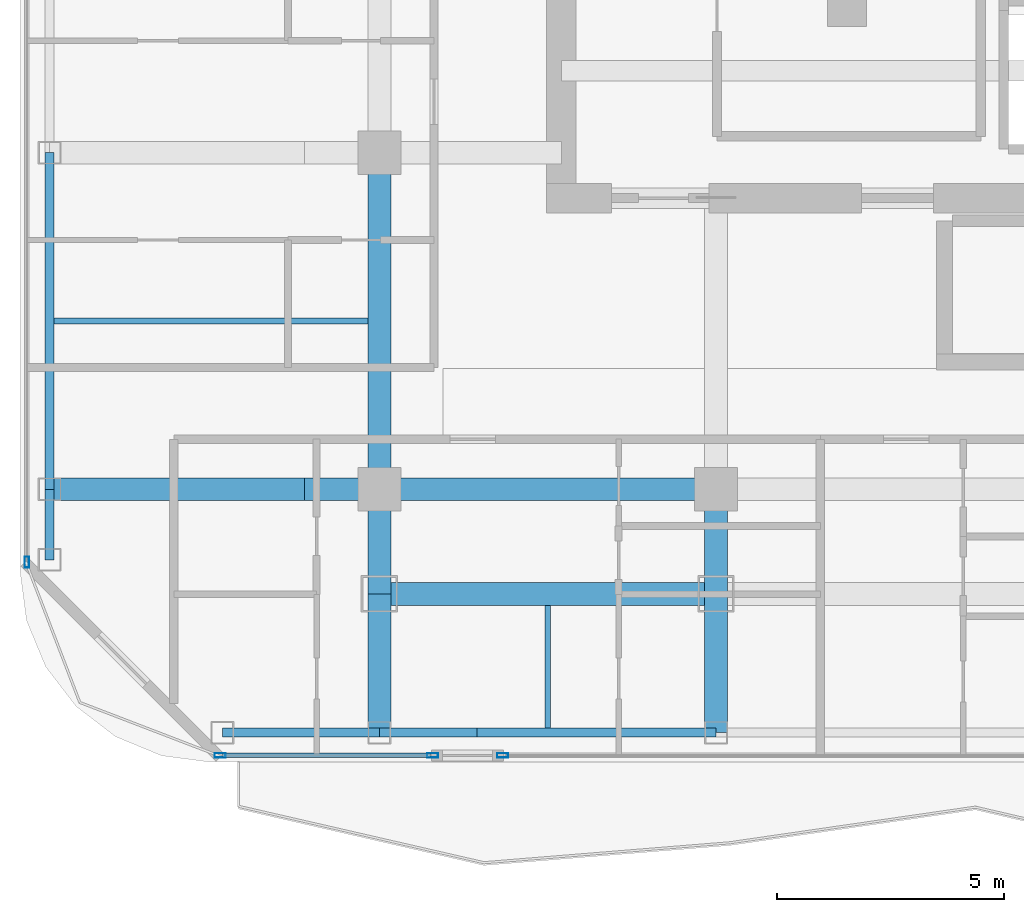
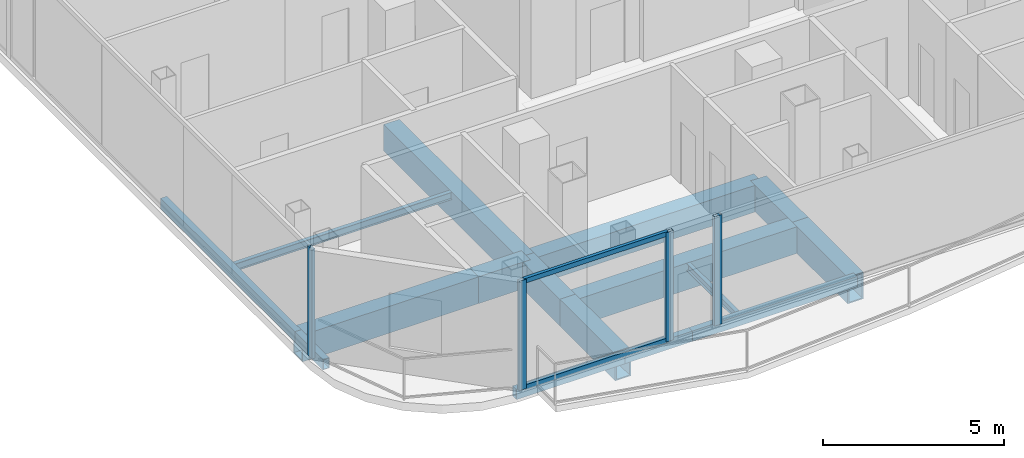
# One storey, part 2 of 24: 16 beams, 6 members, 3 elements without a shape of their own.
"""IFC4 building model written with IfcOpenShell, lengths in metres."""

from ifc_helpers import new_model, si_unit, direction, frame, origin, origin_2d, place, context, subcontext, project, spatial, hollow_rectangle, i_section, extrude, material, layer, layer_set, material_profile, profile_set, type_object, element, aggregate, save


model = new_model("IFC4")

# Units and contexts
model_context = context("Model", 3, precision=1e-05, world=origin(), true_north=direction((0.0, 1.0)))
body_context = subcontext(model_context, "Body", "Model", "MODEL_VIEW")
ifc_project = project(units=[si_unit("LENGTHUNIT", "METRE"), si_unit("AREAUNIT", "SQUARE_METRE"), si_unit("VOLUMEUNIT", "CUBIC_METRE"), si_unit("PLANEANGLEUNIT", "RADIAN"), si_unit("MASSUNIT", "GRAM", prefix="KILO")], contexts=[model_context])

# Site, building, storey
site_placement = place(None, origin())
site = spatial("IfcSite", under=ifc_project, at=site_placement, CompositionType="ELEMENT")
building_placement = place(site_placement, origin())
building = spatial("IfcBuilding", under=site, at=building_placement, Name="Khorvyn Point Tower", CompositionType="ELEMENT")
storey_placement = place(building_placement, frame((0.0, 0.0, 285.89990234375)))
storey = spatial("IfcBuildingStorey", under=building, at=storey_placement, Name="L70", CompositionType="ELEMENT", Elevation=285.89990234375)

# Curtain wall, member
ifc_material_1 = material(Name="Anodised aluminium 6063-T6 and laminated Low-E glass", Category="aluminium")
ifc_layer = layer(ifc_material_1, 0.18994140625)
ifc_layer_set = layer_set([ifc_layer], Name="Stick-Built High-Wind Curtain Wall CW-SYS-04")
curtain_wall_type = type_object("IfcCurtainWallType", Name="Stick-Built High-Wind Curtain Wall CW-SYS-04", PredefinedType="NOTDEFINED", material=ifc_layer_set)
curtain_wall_1_placement = place(storey_placement, origin())
curtain_wall_1 = element("IfcCurtainWall", 1, at=curtain_wall_1_placement, inside=storey, type_object=curtain_wall_type, Name="Curtain Wall", PredefinedType="NOTDEFINED")
ifc_material_2 = material(Name="Anodised aluminium 6063-T6", Category="aluminium")
ifc_material_profile_1 = material_profile(ifc_material_2, hollow_rectangle(XDim=0.10009765625, YDim=0.239990234375, WallThickness=0.0048828125, at=origin_2d()))
ifc_profile_set_1 = profile_set([ifc_material_profile_1], Name="Anodised aluminium 6063-T6 ALU-MUL-100x240")
member_type_1 = type_object("IfcMemberType", Name="Anodised Aluminium 6063-T6 Mullion ALU-MUL-100x240", PredefinedType="MULLION", material=ifc_profile_set_1)
member_1_placement = place(storey_placement, frame((-12.090087890625, -20.64990234375, 0.0), z_axis=(0.0, 0.0, 1.0), x_axis=(0.0, -1.0, 0.0)))
member_1 = element("IfcMember", 2, at=member_1_placement, type_object=member_type_1, Name="Transom", PredefinedType="MULLION", context=body_context, shape_type="SweptSolid", body=[
    extrude(hollow_rectangle(XDim=0.10009765625, YDim=0.239990234375, WallThickness=0.0048828125, at=origin_2d()), origin(), (0.0, 0.0, 1.0), 3.68017578125),
])
aggregate(curtain_wall_1, [member_1])

# Curtain wall, members
curtain_wall_2_placement = place(storey_placement, origin())
curtain_wall_2 = element("IfcCurtainWall", 3, at=curtain_wall_2_placement, inside=storey, type_object=curtain_wall_type, Name="Curtain Wall", PredefinedType="NOTDEFINED")
member_2_placement = place(storey_placement, frame((-13.6298828125, -20.64990234375, 0.0), z_axis=(0.0, 0.0, 1.0), x_axis=(0.0, -1.0, 0.0)))
member_2 = element("IfcMember", 4, at=member_2_placement, type_object=member_type_1, Name="Transom", PredefinedType="MULLION", context=body_context, shape_type="SweptSolid", body=[
    extrude(hollow_rectangle(XDim=0.10009765625, YDim=0.239990234375, WallThickness=0.0048828125, at=origin_2d()), origin(), (0.0, 0.0, 1.0), 3.68017578125),
])
member_3_placement = place(storey_placement, frame((-18.300048828125, -20.64990234375, 0.0), z_axis=(0.0, 0.0, 1.0), x_axis=(0.0, -1.0, 0.0)))
member_3 = element("IfcMember", 5, at=member_3_placement, type_object=member_type_1, Name="Transom", PredefinedType="MULLION", context=body_context, shape_type="SweptSolid", body=[
    extrude(hollow_rectangle(XDim=0.10009765625, YDim=0.239990234375, WallThickness=0.0048828125, at=origin_2d()), origin(), (0.0, 0.0, 1.0), 3.68017578125),
])

# Curtain wall, member
curtain_wall_3_placement = place(storey_placement, origin())
curtain_wall_3 = element("IfcCurtainWall", 6, at=curtain_wall_3_placement, inside=storey, type_object=curtain_wall_type, Name="Curtain Wall", PredefinedType="NOTDEFINED")
member_4_placement = place(storey_placement, frame((-22.550048828125, -16.39990234375, 0.0), z_axis=(0.0, 0.0, 1.0), x_axis=(-1.0, 0.0, 0.0)))
member_4 = element("IfcMember", 7, at=member_4_placement, type_object=member_type_1, Name="Transom", PredefinedType="MULLION", context=body_context, shape_type="SweptSolid", body=[
    extrude(hollow_rectangle(XDim=0.10009765625, YDim=0.239990234375, WallThickness=0.0048828125, at=origin_2d()), origin(), (0.0, 0.0, 1.0), 3.68017578125),
])
aggregate(curtain_wall_3, [member_4])

# Member
ifc_material_profile_2 = material_profile(ifc_material_2, hollow_rectangle(XDim=0.10009765625, YDim=0.159912109375, WallThickness=0.00439453125, at=origin_2d()))
ifc_profile_set_2 = profile_set([ifc_material_profile_2], Name="Anodised aluminium 6063-T6 ALU-TRN-100x160")
member_type_2 = type_object("IfcMemberType", Name="Anodised Aluminium 6063-T6 Transom ALU-TRN-100x160", PredefinedType="USERDEFINED", material=ifc_profile_set_2)
member_5_placement = place(storey_placement, frame((-13.679931640625, -20.64990234375, 0.050048828125), z_axis=(-1.0, 0.0, 0.0), x_axis=(0.0, -1.0, 0.0)))
member_5 = element("IfcMember", 8, at=member_5_placement, type_object=member_type_2, Name="Transom", ObjectType="TRANSOM", PredefinedType="USERDEFINED", context=body_context, shape_type="SweptSolid", body=[
    extrude(hollow_rectangle(XDim=0.10009765625, YDim=0.159912109375, WallThickness=0.00439453125, at=origin_2d()), origin(), (0.0, 0.0, 1.0), 4.570068359375),
])

member_6_placement = place(storey_placement, frame((-13.679931640625, -20.64990234375, 3.630126953125), z_axis=(-1.0, 0.0, 0.0), x_axis=(0.0, -1.0, 0.0)))
member_6 = element("IfcMember", 9, at=member_6_placement, type_object=member_type_2, Name="Transom", ObjectType="TRANSOM", PredefinedType="USERDEFINED", context=body_context, shape_type="SweptSolid", body=[
    extrude(hollow_rectangle(XDim=0.10009765625, YDim=0.159912109375, WallThickness=0.00439453125, at=origin_2d()), origin(), (0.0, 0.0, 1.0), 4.570068359375),
])

aggregate(curtain_wall_2, [member_2, member_3, member_5, member_6])

# Beams
ifc_material_3 = material(Name="Steel S355", Category="steel")
ifc_material_profile_3 = material_profile(ifc_material_3, i_section(OverallWidth=0.125, OverallDepth=0.25, WebThickness=0.006103515625, FlangeThickness=0.009033203125, at=origin_2d()))
ifc_profile_set_3 = profile_set([ifc_material_profile_3], Name="Steel S355 H250x125x6x9")
beam_type_1 = type_object("IfcBeamType", Name="Steel S355 Joist H250x125x6x9", PredefinedType="JOIST", material=ifc_profile_set_3)
beam_1_placement = place(storey_placement, frame((-21.949951171875, -11.10009765625, -0.40478515625), z_axis=(1.0, 0.0, 0.0), x_axis=(0.0, 1.0, 0.0)))
element("IfcBeam", 10, at=beam_1_placement, inside=storey, type_object=beam_type_1, Name="Beam", PredefinedType="JOIST", context=body_context, shape_type="SweptSolid", body=[
    extrude(i_section(OverallWidth=0.125, OverallDepth=0.25, WebThickness=0.006103515625, FlangeThickness=0.009033203125, at=origin_2d()), origin(), (0.0, 0.0, 1.0), 6.89990234375),
])
beam_2_placement = place(storey_placement, frame((-11.10009765625, -20.050048828125, -0.40478515625), z_axis=(0.0, 1.0, 0.0), x_axis=(-1.0, 0.0, 0.0)))
element("IfcBeam", 11, at=beam_2_placement, inside=storey, type_object=beam_type_1, Name="Beam", PredefinedType="JOIST", context=body_context, shape_type="SweptSolid", body=[
    extrude(i_section(OverallWidth=0.125, OverallDepth=0.25, WebThickness=0.006103515625, FlangeThickness=0.009033203125, at=origin_2d()), origin(), (0.0, 0.0, 1.0), 2.699951171875),
])
ifc_material_profile_4 = material_profile(ifc_material_3, hollow_rectangle(XDim=0.199951171875, YDim=0.35009765625, WallThickness=0.013916015625, at=origin_2d()))
ifc_profile_set_4 = profile_set([ifc_material_profile_4], Name="Steel S355 RHS350x200x14")
beam_type_2 = type_object("IfcBeamType", Name="Steel S355 Spandrel RHS350x200x14", PredefinedType="SPANDREL", material=ifc_profile_set_4)
beam_3_placement = place(storey_placement, frame((-18.25, -20.14990234375, -0.454833984375), z_axis=(1.0, 0.0, 0.0), x_axis=(0.0, 1.0, 0.0)))
element("IfcBeam", 12, at=beam_3_placement, inside=storey, type_object=beam_type_2, Name="Beam", PredefinedType="SPANDREL", context=body_context, shape_type="SweptSolid", body=[
    extrude(hollow_rectangle(XDim=0.199951171875, YDim=0.35009765625, WallThickness=0.013916015625, at=origin_2d()), origin(), (0.0, 0.0, 1.0), 3.449951171875),
])
beam_4_placement = place(storey_placement, frame((-14.800048828125, -20.14990234375, -0.454833984375), z_axis=(1.0, 0.0, 0.0), x_axis=(0.0, 1.0, 0.0)))
element("IfcBeam", 13, at=beam_4_placement, inside=storey, type_object=beam_type_2, Name="Beam", PredefinedType="SPANDREL", context=body_context, shape_type="SweptSolid", body=[
    extrude(hollow_rectangle(XDim=0.199951171875, YDim=0.35009765625, WallThickness=0.013916015625, at=origin_2d()), origin(), (0.0, 0.0, 1.0), 2.150146484375),
])
beam_5_placement = place(storey_placement, frame((-12.64990234375, -20.14990234375, -0.454833984375), z_axis=(1.0, 0.0, 0.0), x_axis=(0.0, 1.0, 0.0)))
element("IfcBeam", 14, at=beam_5_placement, inside=storey, type_object=beam_type_2, Name="Beam", PredefinedType="SPANDREL", context=body_context, shape_type="SweptSolid", body=[
    extrude(hollow_rectangle(XDim=0.199951171875, YDim=0.35009765625, WallThickness=0.013916015625, at=origin_2d()), origin(), (0.0, 0.0, 1.0), 5.25),
])
beam_6_placement = place(storey_placement, frame((-22.050048828125, -16.35009765625, -0.454833984375), z_axis=(0.0, 1.0, 0.0), x_axis=(-1.0, 0.0, 0.0)))
element("IfcBeam", 15, at=beam_6_placement, inside=storey, type_object=beam_type_2, Name="Beam", PredefinedType="SPANDREL", context=body_context, shape_type="SweptSolid", body=[
    extrude(hollow_rectangle(XDim=0.199951171875, YDim=0.35009765625, WallThickness=0.013916015625, at=origin_2d()), origin(), (0.0, 0.0, 1.0), 1.550048828125),
])
beam_7_placement = place(storey_placement, frame((-22.050048828125, -14.800048828125, -0.454833984375), z_axis=(0.0, 1.0, 0.0), x_axis=(-1.0, 0.0, 0.0)))
element("IfcBeam", 16, at=beam_7_placement, inside=storey, type_object=beam_type_2, Name="Beam", PredefinedType="SPANDREL", context=body_context, shape_type="SweptSolid", body=[
    extrude(hollow_rectangle(XDim=0.199951171875, YDim=0.35009765625, WallThickness=0.013916015625, at=origin_2d()), origin(), (0.0, 0.0, 1.0), 7.400146484375),
])
ifc_material_4 = material(Name="Steel S450", Category="steel")
ifc_material_profile_5 = material_profile(ifc_material_4, hollow_rectangle(XDim=0.5, YDim=0.89990234375, WallThickness=0.0400390625, at=origin_2d()))
ifc_profile_set_5 = profile_set([ifc_material_profile_5], Name="Steel S450 BOX900x500x40")
beam_type_3 = type_object("IfcBeamType", Name="Steel S450 Beam BOX900x500x40", PredefinedType="BEAM", material=ifc_profile_set_5)
beam_8_placement = place(storey_placement, frame((-22.050048828125, -14.800048828125, -0.72998046875), z_axis=(1.0, 0.0, 0.0), x_axis=(0.0, 1.0, 0.0)))
element("IfcBeam", 17, at=beam_8_placement, inside=storey, type_object=beam_type_3, Name="L70 Radial Transfer Girder", PredefinedType="BEAM", context=body_context, shape_type="SweptSolid", body=[
    extrude(hollow_rectangle(XDim=0.5, YDim=0.89990234375, WallThickness=0.0400390625, at=origin_2d()), origin(), (0.0, 0.0, 1.0), 5.60009765625),
])
beam_9_placement = place(storey_placement, frame((-16.449951171875, -14.800048828125, -0.72998046875), z_axis=(1.0, 0.0, 0.0), x_axis=(0.0, 1.0, 0.0)))
element("IfcBeam", 18, at=beam_9_placement, inside=storey, type_object=beam_type_3, Name="L70 Radial Transfer Girder", PredefinedType="BEAM", context=body_context, shape_type="SweptSolid", body=[
    extrude(hollow_rectangle(XDim=0.5, YDim=0.89990234375, WallThickness=0.0400390625, at=origin_2d()), origin(), (0.0, 0.0, 1.0), 1.64990234375),
])
for number, where, z_axis, x_axis, name in (
    (19, (-14.800048828125, -14.800048828125, -0.72998046875), (1.0, 0.0, 0.0), (0.0, 1.0, 0.0), "L70 Radial Transfer Girder"),
    (20, (-14.800048828125, -17.10009765625, -0.72998046875), (1.0, 0.0, 0.0), (0.0, 1.0, 0.0), "Beam"),
):
    element("IfcBeam", number, at=place(storey_placement, frame(where, z_axis=z_axis, x_axis=x_axis)), inside=storey, type_object=beam_type_3, Name=name, PredefinedType="BEAM", context=body_context, shape_type="SweptSolid", body=[
        extrude(hollow_rectangle(XDim=0.5, YDim=0.89990234375, WallThickness=0.0400390625, at=origin_2d()), origin(), (0.0, 0.0, 1.0), 7.400146484375),
    ])
beam_10_placement = place(storey_placement, frame((-14.800048828125, -20.14990234375, -0.72998046875), z_axis=(0.0, 1.0, 0.0), x_axis=(-1.0, 0.0, 0.0)))
element("IfcBeam", 21, at=beam_10_placement, inside=storey, type_object=beam_type_3, Name="L70 Radial Transfer Girder", PredefinedType="BEAM", context=body_context, shape_type="SweptSolid", body=[
    extrude(hollow_rectangle(XDim=0.5, YDim=0.89990234375, WallThickness=0.0400390625, at=origin_2d()), origin(), (0.0, 0.0, 1.0), 3.0498046875),
])
beam_11_placement = place(storey_placement, frame((-14.800048828125, -17.10009765625, -0.72998046875), z_axis=(0.0, 1.0, 0.0), x_axis=(-1.0, 0.0, 0.0)))
element("IfcBeam", 22, at=beam_11_placement, inside=storey, type_object=beam_type_3, Name="L70 Radial Transfer Girder", PredefinedType="BEAM", context=body_context, shape_type="SweptSolid", body=[
    extrude(hollow_rectangle(XDim=0.5, YDim=0.89990234375, WallThickness=0.0400390625, at=origin_2d()), origin(), (0.0, 0.0, 1.0), 2.300048828125),
])
beam_12_placement = place(storey_placement, frame((-14.800048828125, -14.800048828125, -0.72998046875), z_axis=(0.0, 1.0, 0.0), x_axis=(-1.0, 0.0, 0.0)))
element("IfcBeam", 23, at=beam_12_placement, inside=storey, type_object=beam_type_3, Name="L70 Radial Transfer Girder", PredefinedType="BEAM", context=body_context, shape_type="SweptSolid", body=[
    extrude(hollow_rectangle(XDim=0.5, YDim=0.89990234375, WallThickness=0.0400390625, at=origin_2d()), origin(), (0.0, 0.0, 1.0), 7.400146484375),
])
beam_13_placement = place(storey_placement, frame((-7.39990234375, -20.14990234375, -0.72998046875), z_axis=(0.0, 1.0, 0.0), x_axis=(-1.0, 0.0, 0.0)))
element("IfcBeam", 24, at=beam_13_placement, inside=storey, type_object=beam_type_3, Name="Beam", PredefinedType="BEAM", context=body_context, shape_type="SweptSolid", body=[
    extrude(hollow_rectangle(XDim=0.5, YDim=0.89990234375, WallThickness=0.0400390625, at=origin_2d()), origin(), (0.0, 0.0, 1.0), 3.0498046875),
])
beam_14_placement = place(storey_placement, frame((-7.39990234375, -17.10009765625, -0.72998046875), z_axis=(0.0, 1.0, 0.0), x_axis=(-1.0, 0.0, 0.0)))
element("IfcBeam", 25, at=beam_14_placement, inside=storey, type_object=beam_type_3, Name="Beam", PredefinedType="BEAM", context=body_context, shape_type="SweptSolid", body=[
    extrude(hollow_rectangle(XDim=0.5, YDim=0.89990234375, WallThickness=0.0400390625, at=origin_2d()), origin(), (0.0, 0.0, 1.0), 2.300048828125),
])

save(model, "model.ifc")
